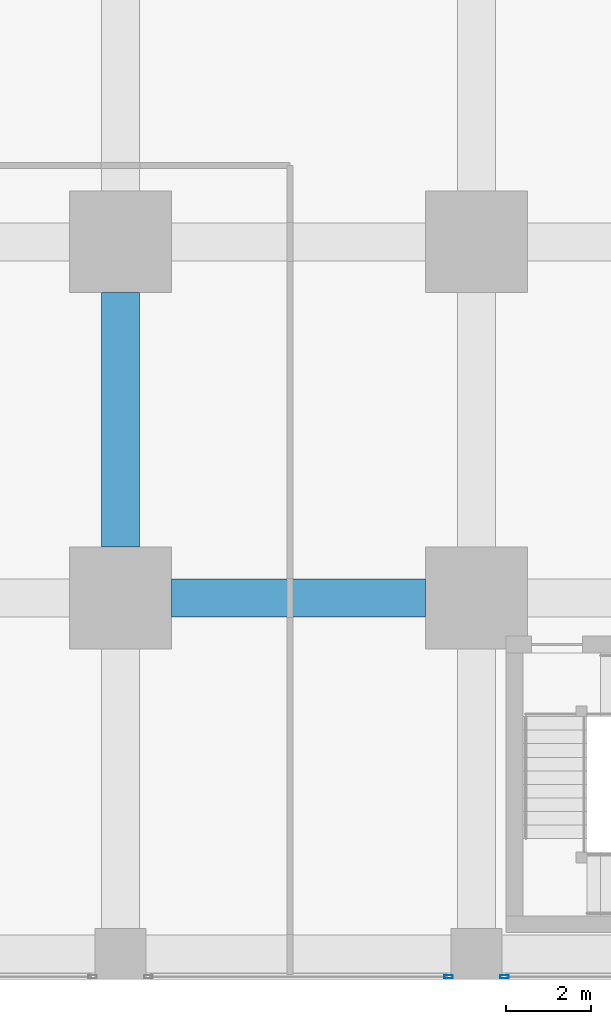
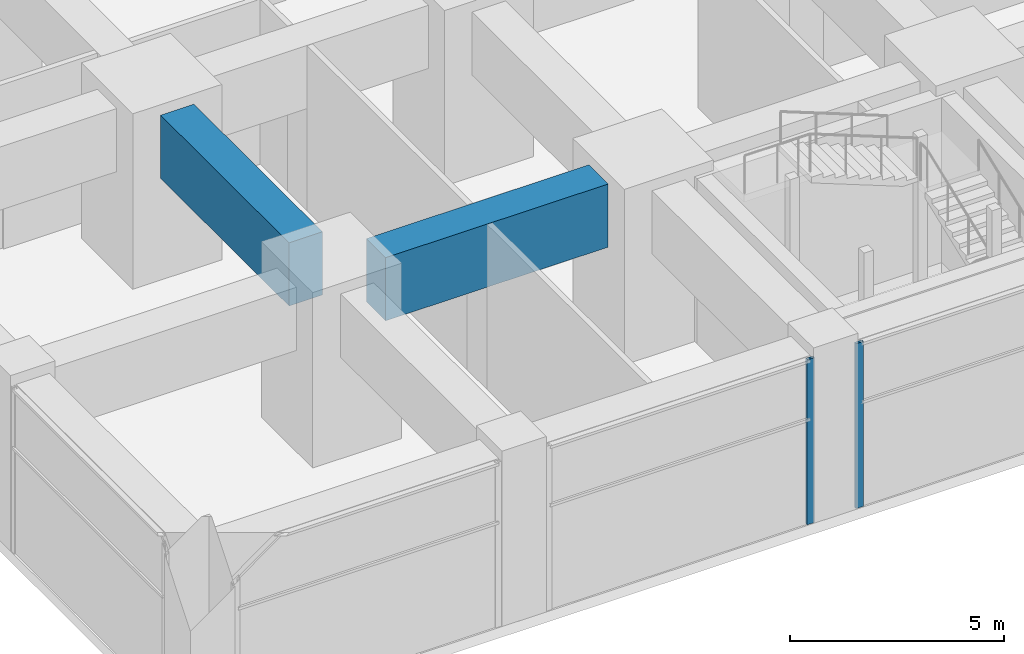
# One storey, part 6 of 48: 2 beams, 2 members, 2 elements without a shape of their own.
"""IFC4 building model written with IfcOpenShell, lengths in metres."""

from ifc_helpers import new_model, si_unit, direction, frame, origin, origin_2d, place, context, subcontext, project, spatial, rectangle, hollow_rectangle, extrude, material, material_profile, profile_set, type_object, element, aggregate, save


model = new_model("IFC4")

# Units and contexts
model_context = context("Model", 3, precision=1e-05, world=origin(), true_north=direction((0.0, 1.0)))
body_context = subcontext(model_context, "Body", "Model", "MODEL_VIEW")
ifc_project = project(units=[si_unit("LENGTHUNIT", "METRE"), si_unit("AREAUNIT", "SQUARE_METRE"), si_unit("VOLUMEUNIT", "CUBIC_METRE"), si_unit("PLANEANGLEUNIT", "RADIAN"), si_unit("MASSUNIT", "GRAM", prefix="KILO")], contexts=[model_context])

# Site, building, storey
site_placement = place(None, origin())
site = spatial("IfcSite", under=ifc_project, at=site_placement, CompositionType="ELEMENT")
building_placement = place(site_placement, origin())
building = spatial("IfcBuilding", under=site, at=building_placement, Name="Rekha Terrace Tower", CompositionType="ELEMENT")
storey_placement = place(building_placement, frame((0.0, 0.0, 15.39990234375)))
storey = spatial("IfcBuildingStorey", under=building, at=storey_placement, Name="L03", CompositionType="ELEMENT", Elevation=15.39990234375)

# Curtain wall, member
ifc_material_1 = material(Name="Aluminium framing", Category="aluminium")
curtain_wall_type = type_object("IfcCurtainWallType", Name="CW4 podium shopfront glazing", PredefinedType="USERDEFINED", material=ifc_material_1)
curtain_wall_1_placement = place(storey_placement, origin())
curtain_wall_1 = element("IfcCurtainWall", 1, at=curtain_wall_1_placement, inside=storey, type_object=curtain_wall_type, Name="CW4 shopfront curtain wall", ObjectType="SHOPFRONT CURTAIN WALL", PredefinedType="USERDEFINED")
ifc_material_2 = material(Name="Aluminium mullion section", Category="aluminium")
ifc_material_profile_1 = material_profile(ifc_material_2, hollow_rectangle(XDim=0.074951171875, YDim=0.199951171875, WallThickness=0.00390625, at=origin_2d()), Name="AL RHS 75x200")
ifc_profile_set_1 = profile_set([ifc_material_profile_1], Name="Aluminium mullion section")
member_type = type_object("IfcMemberType", Name="CW4 mullion RHS 75 x 200", PredefinedType="MULLION", material=ifc_profile_set_1)
member_1_placement = place(storey_placement, frame((16.142578125, -0.5400390625, 0.0), z_axis=(0.0, 0.0, 1.0), x_axis=(0.0, 1.0, 0.0)))
member_1 = element("IfcMember", 2, at=member_1_placement, type_object=member_type, Name="CW4 mullion 2", PredefinedType="MULLION", context=body_context, shape_type="SweptSolid", body=[
    extrude(hollow_rectangle(XDim=0.074951171875, YDim=0.199951171875, WallThickness=0.00390625, at=origin_2d()), origin(), (0.0, 0.0, 1.0), 4.7001953125),
])
aggregate(curtain_wall_1, [member_1])

curtain_wall_2_placement = place(storey_placement, origin())
curtain_wall_2 = element("IfcCurtainWall", 3, at=curtain_wall_2_placement, inside=storey, type_object=curtain_wall_type, Name="CW4 shopfront curtain wall", ObjectType="SHOPFRONT CURTAIN WALL", PredefinedType="USERDEFINED")
member_2_placement = place(storey_placement, frame((17.45751953125, -0.5400390625, 0.0), z_axis=(0.0, 0.0, 1.0), x_axis=(0.0, 1.0, 0.0)))
member_2 = element("IfcMember", 4, at=member_2_placement, type_object=member_type, Name="CW4 mullion 1", PredefinedType="MULLION", context=body_context, shape_type="SweptSolid", body=[
    extrude(hollow_rectangle(XDim=0.074951171875, YDim=0.199951171875, WallThickness=0.00390625, at=origin_2d()), origin(), (0.0, 0.0, 1.0), 4.7001953125),
])
aggregate(curtain_wall_2, [member_2])

# Beams
ifc_material_3 = material(Name="Concrete M60", Category="concrete")
ifc_material_profile_2 = material_profile(ifc_material_3, rectangle(XDim=0.89990234375, YDim=1.800048828125, at=origin_2d()), Name="RC 900x1800")
ifc_profile_set_2 = profile_set([ifc_material_profile_2], Name="Concrete M60")
beam_type = type_object("IfcBeamType", Name="G1 900x1800 podium floor beam", PredefinedType="BEAM", material=ifc_profile_set_2)
for number, where, z_axis, x_axis, name in (
    (5, (9.60009765625, 8.39990234375, 3.800048828125), (1.0, 0.0, 0.0), (0.0, 1.0, 0.0), "Beam G1 2B-3B under L04"),
    (6, (8.39990234375, 9.60009765625, 3.800048828125), (0.0, 1.0, 0.0), (-1.0, 0.0, 0.0), "Beam G1 2B-2C under L04"),
):
    element("IfcBeam", number, at=place(storey_placement, frame(where, z_axis=z_axis, x_axis=x_axis)), inside=storey, type_object=beam_type, Name=name, PredefinedType="BEAM", context=body_context, shape_type="SweptSolid", body=[
        extrude(rectangle(XDim=0.89990234375, YDim=1.800048828125, at=origin_2d()), origin(), (0.0, 0.0, 1.0), 6.0),
    ])

save(model, "model.ifc")
